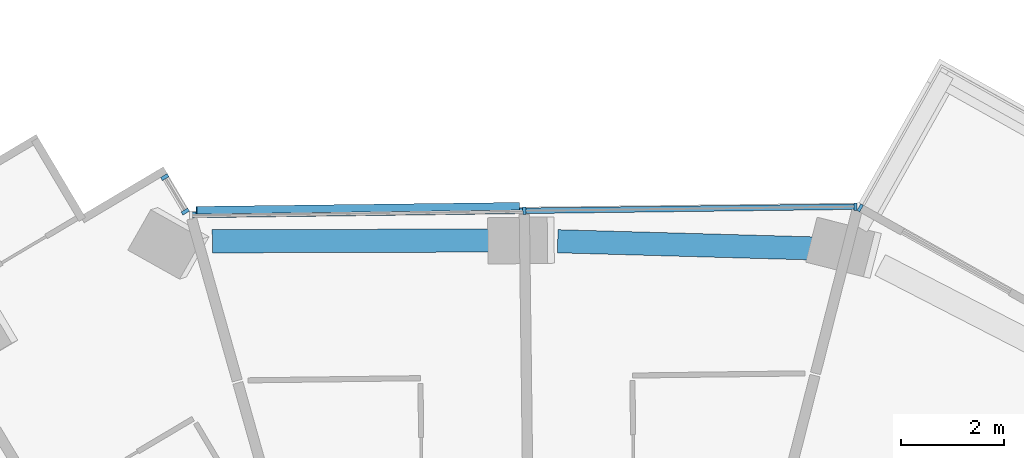
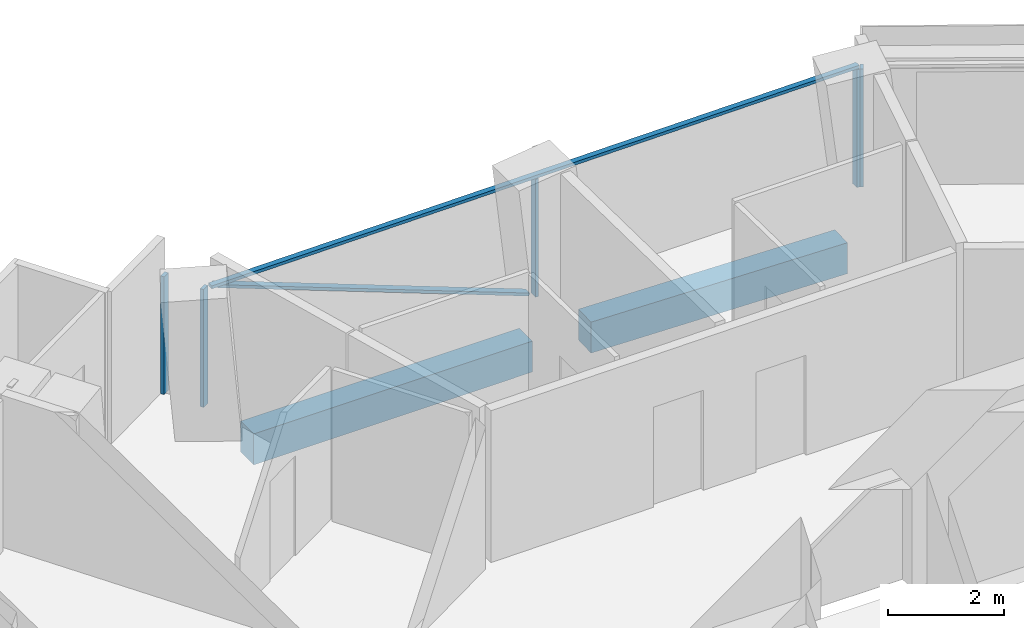
# One storey, part 8 of 21: 7 members, 2 beams, 3 elements without a shape of their own.
"""IFC4 building model written with IfcOpenShell, lengths in metres."""

from ifc_helpers import new_model, si_unit, direction, frame, origin, origin_2d, place, context, subcontext, project, spatial, rectangle, extrude, material, layer, layer_set, material_profile, profile_set, type_object, element, aggregate, save


model = new_model("IFC4")

# Units and contexts
model_context = context("Model", 3, precision=1e-05, world=origin(), true_north=direction((0.0, 1.0)))
body_context = subcontext(model_context, "Body", "Model", "MODEL_VIEW")
ifc_project = project(units=[si_unit("LENGTHUNIT", "METRE"), si_unit("AREAUNIT", "SQUARE_METRE"), si_unit("VOLUMEUNIT", "CUBIC_METRE"), si_unit("PLANEANGLEUNIT", "RADIAN"), si_unit("MASSUNIT", "GRAM", prefix="KILO")], contexts=[model_context])

# Site, building, storey
site_placement = place(None, origin())
site = spatial("IfcSite", under=ifc_project, at=site_placement, CompositionType="ELEMENT")
building_placement = place(site_placement, origin())
building = spatial("IfcBuilding", under=site, at=building_placement, Name="Verdalira Terraces Hotel", CompositionType="ELEMENT")
storey_placement = place(building_placement, frame((0.0, 0.0, 158.5)))
storey = spatial("IfcBuildingStorey", under=building, at=storey_placement, Name="L38", CompositionType="ELEMENT", Elevation=158.5)

# Curtain wall, member
ifc_material_1 = material(Name="Clear glass", Category="glass")
ifc_layer_1 = layer(ifc_material_1, 0.14990234375)
ifc_layer_set_1 = layer_set([ifc_layer_1], Name="CW1 curtain wall")
curtain_wall_type_1 = type_object("IfcCurtainWallType", Name="CW1 curtain wall", PredefinedType="NOTDEFINED", material=ifc_layer_set_1)
curtain_wall_1_placement = place(storey_placement, origin())
curtain_wall_1 = element("IfcCurtainWall", 1, at=curtain_wall_1_placement, inside=storey, type_object=curtain_wall_type_1, Name="CW1 curtain wall L38 edge 40", PredefinedType="NOTDEFINED")
ifc_material_2 = material(Name="Terracotta frame", Category="masonry")
ifc_material_profile_1 = material_profile(ifc_material_2, rectangle(XDim=0.060059, YDim=0.149902, at=origin_2d()), Name="MU 60x150")
ifc_profile_set_1 = profile_set([ifc_material_profile_1], Name="Terracotta frame")
member_type_1 = type_object("IfcMemberType", Name="CW1 mullion 60x150", PredefinedType="MULLION", material=ifc_profile_set_1)
member_1_placement = place(storey_placement, frame((6.219238, 24.238281, 0.0), z_axis=(0.0, 0.0, 1.0), x_axis=(-0.872240046, 0.489078012, 0.0)))
member_1 = element("IfcMember", 2, at=member_1_placement, type_object=member_type_1, Name="CW1 mullion", PredefinedType="MULLION", context=body_context, shape_type="SweptSolid", body=[
    extrude(rectangle(XDim=0.060059, YDim=0.149902, at=origin_2d()), origin(), (0.0, 0.0, 1.0), 2.475098),
])
aggregate(curtain_wall_1, [member_1])

# Curtain wall, members
curtain_wall_2_placement = place(storey_placement, origin())
curtain_wall_2 = element("IfcCurtainWall", 3, at=curtain_wall_2_placement, inside=storey, type_object=curtain_wall_type_1, Name="CW1 curtain wall L38 edge 41", PredefinedType="NOTDEFINED")
member_2_placement = place(storey_placement, frame((6.125488, 24.262207, 0.0), z_axis=(0.0, 0.0, 1.0), x_axis=(-0.999921044, -0.01256604, 0.0)))
member_2 = element("IfcMember", 4, at=member_2_placement, type_object=member_type_1, Name="CW1 mullion", PredefinedType="MULLION", context=body_context, shape_type="SweptSolid", body=[
    extrude(rectangle(XDim=0.060059, YDim=0.149902, at=origin_2d()), origin(), (0.0, 0.0, 1.0), 2.475098),
])
member_3_placement = place(storey_placement, frame((-0.303955, 24.181396, 0.0), z_axis=(0.0, 0.0, 1.0), x_axis=(-0.999921044, -0.01256604, 0.0)))
member_3 = element("IfcMember", 5, at=member_3_placement, type_object=member_type_1, Name="CW1 mullion", PredefinedType="MULLION", context=body_context, shape_type="SweptSolid", body=[
    extrude(rectangle(XDim=0.060059, YDim=0.149902, at=origin_2d()), origin(), (0.0, 0.0, 1.0), 2.475098),
])
ifc_material_3 = material(Name="Terracotta frame", Category="masonry")
ifc_material_profile_2 = material_profile(ifc_material_3, rectangle(XDim=0.110107, YDim=0.064941, at=origin_2d()), Name="TR 65x110")
ifc_profile_set_2 = profile_set([ifc_material_profile_2], Name="Terracotta frame")
member_type_2 = type_object("IfcMemberType", Name="CW1 transom 65x110", PredefinedType="USERDEFINED", material=ifc_profile_set_2)
member_4_placement = place(storey_placement, frame((6.155518, 24.262695, 2.507568), z_axis=(-0.999921058, -0.012564946, 0.0), x_axis=(0.012564946, -0.999921058, 0.0)))
member_4 = element("IfcMember", 6, at=member_4_placement, type_object=member_type_2, Name="CW1 transom", ObjectType="TRANSOM", PredefinedType="USERDEFINED", context=body_context, shape_type="SweptSolid", body=[
    extrude(rectangle(XDim=0.110107, YDim=0.064941, at=origin_2d()), origin(), (0.0, 0.0, 1.0), 12.959961),
])

ifc_material_4 = material(Name="Clear glass", Category="glass")
ifc_layer_2 = layer(ifc_material_4, 0.14990234375)
ifc_layer_set_2 = layer_set([ifc_layer_2], Name="CW2 curtain wall")
curtain_wall_type_2 = type_object("IfcCurtainWallType", Name="CW2 curtain wall", PredefinedType="NOTDEFINED", material=ifc_layer_set_2)
curtain_wall_3_placement = place(storey_placement, origin())
curtain_wall_3 = element("IfcCurtainWall", 7, at=curtain_wall_3_placement, inside=storey, type_object=curtain_wall_type_2, Name="CW2 curtain wall L38 edge 0", PredefinedType="NOTDEFINED")
ifc_material_5 = material(Name="Terracotta frame", Category="masonry")
ifc_material_profile_3 = material_profile(ifc_material_5, rectangle(XDim=0.070068, YDim=0.149902, at=origin_2d()), Name="MU 70x150")
ifc_profile_set_3 = profile_set([ifc_material_profile_3], Name="Terracotta frame")
member_type_3 = type_object("IfcMemberType", Name="CW2 mullion 70x150", PredefinedType="MULLION", material=ifc_profile_set_3)
member_5_placement = place(storey_placement, frame((-6.886719, 24.166504, 0.0), z_axis=(0.0, 0.0, 1.0), x_axis=(-0.510843032, 0.859674006, 0.0)))
member_5 = element("IfcMember", 8, at=member_5_placement, type_object=member_type_3, Name="CW2 mullion", PredefinedType="MULLION", context=body_context, shape_type="SweptSolid", body=[
    extrude(rectangle(XDim=0.070068, YDim=0.149902, at=origin_2d()), origin(), (0.0, 0.0, 1.0), 2.475098),
])
member_6_placement = place(storey_placement, frame((-7.285156, 24.837158, 0.0), z_axis=(0.0, 0.0, 1.0), x_axis=(-0.510843032, 0.859674006, 0.0)))
member_6 = element("IfcMember", 9, at=member_6_placement, type_object=member_type_3, Name="CW2 mullion", PredefinedType="MULLION", context=body_context, shape_type="SweptSolid", body=[
    extrude(rectangle(XDim=0.070068, YDim=0.149902, at=origin_2d()), origin(), (0.0, 0.0, 1.0), 2.475098),
])
aggregate(curtain_wall_3, [member_5, member_6])

# Member
ifc_material_6 = material(Name="Terracotta frame", Category="masonry")
ifc_material_profile_4 = material_profile(ifc_material_6, rectangle(XDim=0.149902, YDim=0.060059, at=origin_2d()), Name="GB 60x150")
ifc_profile_set_4 = profile_set([ifc_material_profile_4], Name="Terracotta frame")
member_type_4 = type_object("IfcMemberType", Name="Diagonal glazing bar 60x150", PredefinedType="USERDEFINED", material=ifc_profile_set_4)
member_7_placement = place(storey_placement, frame((-0.409424, 24.269043, 0.028809), z_axis=(-0.932806388, -0.011712824, 0.360187524), x_axis=(0.012555554, -0.999921176, 0.0)))
member_7 = element("IfcMember", 10, at=member_7_placement, type_object=member_type_4, Name="Diagonal glazing bar", ObjectType="GLAZING BAR", PredefinedType="USERDEFINED", context=body_context, shape_type="SweptSolid", body=[
    extrude(rectangle(XDim=0.149902, YDim=0.060059, at=origin_2d()), origin(), (0.0, 0.0, 1.0), 6.71167),
])

aggregate(curtain_wall_2, [member_2, member_3, member_4, member_7])

# Beams
ifc_material_7 = material(Name="Concrete C50", Category="concrete")
ifc_material_profile_5 = material_profile(ifc_material_7, rectangle(XDim=0.449951, YDim=0.649902, at=origin_2d()), Name="RC 450X650")
ifc_profile_set_5 = profile_set([ifc_material_profile_5], Name="Concrete C50")
beam_type = type_object("IfcBeamType", Name="Spandrel beam RC 450X650 C50", PredefinedType="SPANDREL", material=ifc_profile_set_5)
beam_1_placement = place(storey_placement, frame((5.358154, 23.449219, -0.63501), z_axis=(-0.999605513, 0.028085916, 0.0), x_axis=(-0.028085916, -0.999605513, 0.0)))
element("IfcBeam", 11, at=beam_1_placement, inside=storey, type_object=beam_type, Name="Spandrel beam B22", PredefinedType="SPANDREL", context=body_context, shape_type="SweptSolid", body=[
    extrude(rectangle(XDim=0.449951, YDim=0.649902, at=origin_2d()), origin(), (0.0, 0.0, 1.0), 5.015625),
])
beam_2_placement = place(storey_placement, frame((-0.819092, 23.60498, -0.63501), z_axis=(-0.999995777, -0.002906196, 0.0), x_axis=(0.002906196, -0.999995777, 0.0)))
element("IfcBeam", 12, at=beam_2_placement, inside=storey, type_object=beam_type, Name="Spandrel beam B23", PredefinedType="SPANDREL", context=body_context, shape_type="SweptSolid", body=[
    extrude(rectangle(XDim=0.449951, YDim=0.649902, at=origin_2d()), origin(), (0.0, 0.0, 1.0), 5.544434),
])

save(model, "model.ifc")
